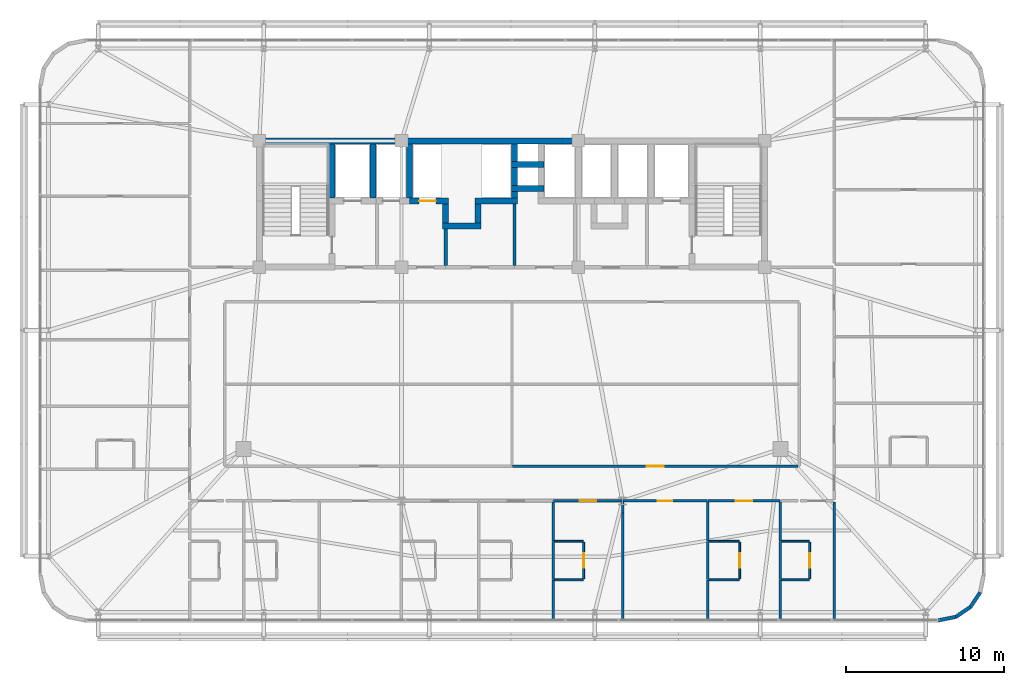
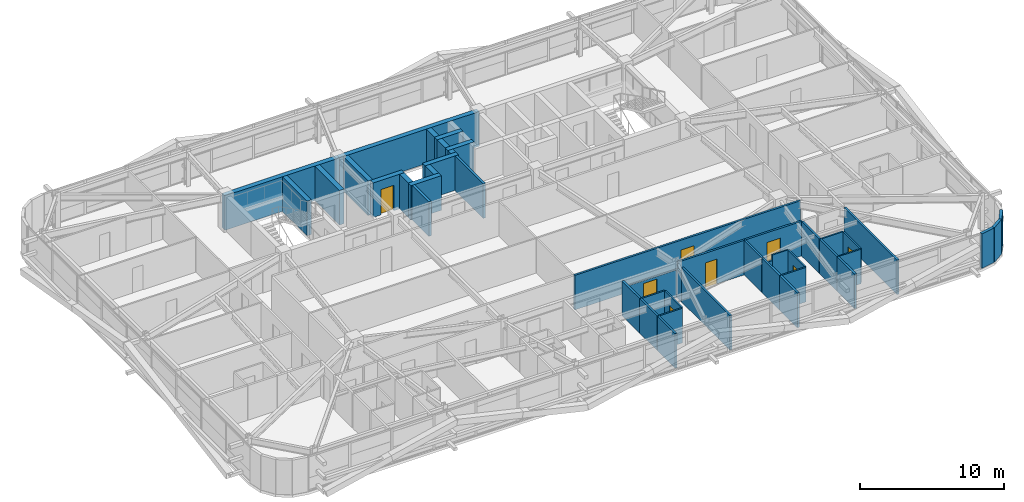
# One storey, part 54 of 59: 46 walls, 8 doors, 8 openings.
"""IFC4 building model written with IfcOpenShell, lengths in metres."""

from ifc_helpers import new_model, si_unit, direction, frame, frame_2d, origin, place, context, subcontext, project, spatial, rectangle, extrude, source, transform, mapped, material, layer, layer_set, type_object, element, fill, save


model = new_model("IFC4")

# Units and contexts
model_context = context("Model", 3, precision=1e-05, world=origin(), true_north=direction((0.0, 1.0)))
body_context = subcontext(model_context, "Body", "Model", "MODEL_VIEW")
ifc_project = project(units=[si_unit("LENGTHUNIT", "METRE"), si_unit("AREAUNIT", "SQUARE_METRE"), si_unit("VOLUMEUNIT", "CUBIC_METRE"), si_unit("PLANEANGLEUNIT", "RADIAN"), si_unit("MASSUNIT", "GRAM", prefix="KILO")], contexts=[model_context])

# Site, building, storey
site_placement = place(None, origin())
site = spatial("IfcSite", under=ifc_project, at=site_placement, CompositionType="ELEMENT")
building_placement = place(site_placement, origin())
building = spatial("IfcBuilding", under=site, at=building_placement, Name="Taldren Reach Tower", CompositionType="ELEMENT")
storey_placement = place(building_placement, frame((0.0, 0.0, 23.10009765625)))
storey = spatial("IfcBuildingStorey", under=building, at=storey_placement, Name="L06", CompositionType="ELEMENT", Elevation=23.10009765625)

# Walls
ifc_material_1 = material(Name="Pale Champagne Anodised Aluminium Cladding", Category="aluminium")
ifc_layer_1 = layer(ifc_material_1, 0.04, Name="Pale Champagne Anodised Aluminium Cladding", Category="aluminium")
ifc_material_2 = material(Name="Mineral Wool Acoustic Insulation", Category="insulation")
ifc_layer_2 = layer(ifc_material_2, 0.06, Name="Mineral Wool Acoustic Insulation", Category="insulation")
ifc_material_3 = material(Name="Steel Gr 350 (C350L0)", Category="steel")
ifc_layer_3 = layer(ifc_material_3, 0.12, Name="Steel Gr 350 (C350L0)", Category="steel")
ifc_layer_set_1 = layer_set([ifc_layer_1, ifc_layer_2, ifc_layer_3], Name="Pale Champagne Aluminium Cladding and Steel Gr 350 Stud Framing")
wall_type_1 = type_object("IfcWallType", Name="EW-CRN-220", PredefinedType="SOLIDWALL", material=ifc_layer_set_1)
shared_shape_1 = source(origin(), body_context, "Body", "SweptSolid", [
    extrude(rectangle(XDim=1.115966796875, YDim=0.219970703125, at=frame_2d((0.55810546875, 0.0))), origin(), (0.0, 0.0, 1.0), 2.929931640625),
])
for number, where, z_axis, x_axis, name in (
    (1, (62.0, 1.639892578125, 0.0), (0.0, 0.0, 1.0), (0.98077373103, 0.195148375659, 0.0), "Rounded-corner pale-metal facade wall L06-SE1"),
    (2, (63.094482421875, 1.857666015625, 0.0), (0.0, 0.0, 1.0), (0.83137650226, 0.555709556774, 0.0), "Rounded-corner pale-metal facade wall L06-SE2"),
    (3, (64.022216796875, 2.477783203125, 0.0), (0.0, 0.0, 1.0), (0.555709556774, 0.83137650226, 0.0), "Rounded-corner pale-metal facade wall L06-SE3"),
):
    element("IfcWall", number, at=place(storey_placement, frame(where, z_axis=z_axis, x_axis=x_axis)), inside=storey, type_object=wall_type_1, Name=name, PredefinedType="SOLIDWALL", context=body_context, shape_type="MappedRepresentation", body=[
        mapped(shared_shape_1, transform((0.0, 0.0, 0.0), scale=1.0)),
    ])
ifc_material_4 = material(Name="Concrete S80 (80 MPa)", Category="concrete")
ifc_layer_4 = layer(ifc_material_4, 0.3798828125)
ifc_layer_set_2 = layer_set([ifc_layer_4], Name="Concrete S80 (80 MPa)")
wall_type_2 = type_object("IfcWallType", Name="IW-CORE-380", PredefinedType="SHEAR", material=ifc_layer_set_2)
shared_shape_2 = source(origin(), body_context, "Body", "SweptSolid", [
    extrude(rectangle(XDim=9.18994140625, YDim=0.3798828125, at=frame_2d((4.594970703125, 0.0))), origin(), (0.0, 0.0, 1.0), 2.929931640625),
])
wall_1_placement = place(storey_placement, frame((18.81005859375, 32.0, 0.0), z_axis=(0.0, 0.0, 1.0), x_axis=(1.0, 0.0, 0.0)))
element("IfcWall", 4, at=wall_1_placement, inside=storey, type_object=wall_type_2, Name="Rear Core Shear Wall W-CORE-L06-NORTH1", PredefinedType="SHEAR", context=body_context, shape_type="MappedRepresentation", body=[
    mapped(shared_shape_2, transform((0.0, 0.0, 0.0), scale=1.0)),
])
shared_shape_3 = source(origin(), body_context, "Body", "SweptSolid", [
    extrude(rectangle(XDim=11.199951171875, YDim=0.3798828125, at=frame_2d((5.60009765625, 0.0))), origin(), (0.0, 0.0, 1.0), 2.929931640625),
])
wall_2_placement = place(storey_placement, frame((28.0, 32.0, 0.0), z_axis=(0.0, 0.0, 1.0), x_axis=(1.0, 0.0, 0.0)))
element("IfcWall", 5, at=wall_2_placement, inside=storey, type_object=wall_type_2, Name="Rear Core Shear Wall W-CORE-L06-NORTH2", PredefinedType="SHEAR", context=body_context, shape_type="MappedRepresentation", body=[
    mapped(shared_shape_3, transform((0.0, 0.0, 0.0), scale=1.0)),
])
shared_shape_4 = source(origin(), body_context, "Body", "SweptSolid", [
    extrude(rectangle(XDim=3.420166015625, YDim=0.3798828125, at=frame_2d((1.7099609375, 0.0))), origin(), (0.0, 0.0, 1.0), 2.929931640625),
])
for number, where, z_axis, x_axis, name in (
    (6, (23.60009765625, 28.389892578125, 0.0), (0.0, 0.0, 1.0), (0.0, 1.0, 0.0), "Rear Core Shear Wall W-INT-L06-001"),
    (7, (26.199951171875, 28.389892578125, 0.0), (0.0, 0.0, 1.0), (0.0, 1.0, 0.0), "Rear Core Shear Wall W-INT-L06-005"),
    (8, (28.5, 28.389892578125, 0.0), (0.0, 0.0, 1.0), (0.0, 1.0, 0.0), "Rear Core Shear Wall W-INT-L06-029"),
):
    element("IfcWall", number, at=place(storey_placement, frame(where, z_axis=z_axis, x_axis=x_axis)), inside=storey, type_object=wall_type_2, Name=name, PredefinedType="SHEAR", context=body_context, shape_type="MappedRepresentation", body=[
        mapped(shared_shape_4, transform((0.0, 0.0, 0.0), scale=1.0)),
    ])
ifc_material_5 = material(Name="Concrete S50 (50 MPa)", Category="concrete")
ifc_layer_5 = layer(ifc_material_5, 0.199951171875)
ifc_layer_set_3 = layer_set([ifc_layer_5], Name="Concrete S50 (50 MPa)")
wall_type_3 = type_object("IfcWallType", Name="IW-CORE-200", PredefinedType="SOLIDWALL", material=ifc_layer_set_3)
shared_shape_5 = source(origin(), body_context, "Body", "SweptSolid", [
    extrude(rectangle(XDim=3.909912109375, YDim=0.199951171875, at=frame_2d((1.955078125, 0.0))), origin(), (0.0, 0.0, 1.0), 2.929931640625),
])
wall_3_placement = place(storey_placement, frame((35.14990234375, 28.010009765625, 0.0), z_axis=(0.0, 0.0, 1.0), x_axis=(0.0, -1.0, 0.0)))
element("IfcWall", 9, at=wall_3_placement, inside=storey, type_object=wall_type_3, Name="Rear Core Shear Wall W-INT-L06-042", PredefinedType="SOLIDWALL", context=body_context, shape_type="MappedRepresentation", body=[
    mapped(shared_shape_5, transform((0.0, 0.0, 0.0), scale=1.0)),
])
shared_shape_6 = source(origin(), body_context, "Body", "SweptSolid", [
    extrude(rectangle(XDim=2.080078125, YDim=0.3798828125, at=frame_2d((1.0400390625, 0.0))), origin(), (0.0, 0.0, 1.0), 2.929931640625),
])
for number, where, z_axis, x_axis, name in (
    (10, (34.9599609375, 30.5, 0.0), (0.0, 0.0, 1.0), (1.0, 0.0, 0.0), "Rear Core Shear Wall W-INT-L06-015"),
    (11, (34.9599609375, 29.0, 0.0), (0.0, 0.0, 1.0), (1.0, 0.0, 0.0), "Rear Core Shear Wall W-INT-L06-020"),
):
    element("IfcWall", number, at=place(storey_placement, frame(where, z_axis=z_axis, x_axis=x_axis)), inside=storey, type_object=wall_type_2, Name=name, PredefinedType="SHEAR", context=body_context, shape_type="MappedRepresentation", body=[
        mapped(shared_shape_6, transform((0.0, 0.0, 0.0), scale=1.0)),
    ])
shared_shape_7 = source(origin(), body_context, "Body", "SweptSolid", [
    extrude(rectangle(XDim=1.1201171875, YDim=0.3798828125, at=frame_2d((0.56005859375, 0.0))), origin(), (0.0, 0.0, 1.0), 2.929931640625),
])
for number, where, z_axis, x_axis, name in (
    (12, (35.14990234375, 31.81005859375, 0.0), (0.0, 0.0, 1.0), (0.0, -1.0, 0.0), "Rear Core Shear Wall W-INT-L06-016"),
    (13, (35.14990234375, 30.31005859375, 0.0), (0.0, 0.0, 1.0), (0.0, -1.0, 0.0), "Rear Core Shear Wall W-INT-L06-018"),
):
    element("IfcWall", number, at=place(storey_placement, frame(where, z_axis=z_axis, x_axis=x_axis)), inside=storey, type_object=wall_type_2, Name=name, PredefinedType="SHEAR", context=body_context, shape_type="MappedRepresentation", body=[
        mapped(shared_shape_7, transform((0.0, 0.0, 0.0), scale=1.0)),
    ])
shared_shape_8 = source(origin(), body_context, "Body", "SweptSolid", [
    extrude(rectangle(XDim=1.219970703125, YDim=0.3798828125, at=frame_2d((0.60986328125, 0.0))), origin(), (0.0, 0.0, 1.0), 2.929931640625),
])
for number, where, z_axis, x_axis, name in (
    (14, (30.800048828125, 28.010009765625, 0.0), (0.0, 0.0, 1.0), (0.0, -1.0, 0.0), "Rear Core Shear Wall W-INT-L06-021"),
    (15, (32.85009765625, 26.7900390625, 0.0), (0.0, 0.0, 1.0), (0.0, 1.0, 0.0), "Rear Core Shear Wall W-INT-L06-023"),
):
    element("IfcWall", number, at=place(storey_placement, frame(where, z_axis=z_axis, x_axis=x_axis)), inside=storey, type_object=wall_type_2, Name=name, PredefinedType="SHEAR", context=body_context, shape_type="MappedRepresentation", body=[
        mapped(shared_shape_8, transform((0.0, 0.0, 0.0), scale=1.0)),
    ])
shared_shape_9 = source(origin(), body_context, "Body", "SweptSolid", [
    extrude(rectangle(XDim=2.429931640625, YDim=0.3798828125, at=frame_2d((1.21484375, 0.0))), origin(), (0.0, 0.0, 1.0), 2.929931640625),
])
wall_4_placement = place(storey_placement, frame((30.610107421875, 26.60009765625, 0.0), z_axis=(0.0, 0.0, 1.0), x_axis=(1.0, 0.0, 0.0)))
element("IfcWall", 16, at=wall_4_placement, inside=storey, type_object=wall_type_2, Name="Rear Core Shear Wall W-INT-L06-022", PredefinedType="SHEAR", context=body_context, shape_type="MappedRepresentation", body=[
    mapped(shared_shape_9, transform((0.0, 0.0, 0.0), scale=1.0)),
])

# Wall, opening, door
shared_shape_10 = source(origin(), body_context, "Body", "SweptSolid", [
    extrude(rectangle(XDim=2.489990234375, YDim=0.3798828125, at=frame_2d((1.2451171875, 0.0))), origin(), (0.0, 0.0, 1.0), 2.929931640625),
])
wall_5_placement = place(storey_placement, frame((28.5, 28.199951171875, 0.0), z_axis=(0.0, 0.0, 1.0), x_axis=(1.0, 0.0, 0.0)))
wall_5 = element("IfcWall", 17, at=wall_5_placement, inside=storey, type_object=wall_type_2, Name="Rear Core Shear Wall W-INT-L06-031", PredefinedType="SHEAR", context=body_context, shape_type="MappedRepresentation", body=[
    mapped(shared_shape_10, transform((0.0, 0.0, 0.0), scale=1.0)),
])
shared_shape_11 = source(origin(), body_context, "Body", "SweptSolid", [
    extrude(rectangle(XDim=1.050048828125, YDim=2.14990234375, at=frame_2d((0.52490234375, 1.074951171875))), frame((0.0, 0.199951171875, 0.0), z_axis=(0.0, -1.0, 0.0), x_axis=(1.0, 0.0, 0.0)), (0.0, 0.0, 1.0), 0.39990234375),
])
opening_1_placement = place(wall_5_placement, frame((0.625, 0.0, 0.0)))
opening_1 = element("IfcOpeningElement", 18, at=opening_1_placement, cuts=wall_5, Name="Opening LD-PL2", PredefinedType="OPENING", context=body_context, shape_type="MappedRepresentation", body=[
    mapped(shared_shape_11, transform((0.0, 0.0, 0.0), scale=1.0)),
])
ifc_material_6 = material(Name="Stainless Steel Gr 316 Passenger Lift Landing Door", Category="steel")
door_type_1 = type_object("IfcDoorType", Name="LD-PAS-105", OperationType="SLIDING_TO_LEFT", PredefinedType="DOOR", material=ifc_material_6)
shared_shape_12 = source(origin(), body_context, "Body", "SweptSolid", [
    extrude(rectangle(XDim=1.050048828125, YDim=2.14990234375, at=frame_2d((0.52490234375, 1.074951171875))), frame((0.0, 0.02490234375, 0.0), z_axis=(0.0, -1.0, 0.0), x_axis=(1.0, 0.0, 0.0)), (0.0, 0.0, 1.0), 0.050048828125),
])
door_1_placement = place(opening_1_placement, origin())
door_1 = element("IfcDoor", 19, at=door_1_placement, inside=storey, type_object=door_type_1, Name="Lift Landing Door LD-PL2-L06", OperationType="SLIDING_TO_LEFT", OverallHeight=2.14990234375, OverallWidth=1.050048828125, PredefinedType="DOOR", context=body_context, shape_type="MappedRepresentation", body=[
    mapped(shared_shape_12, transform((0.0, 0.0, 0.0), scale=1.0)),
])
fill(opening_1, door_1)

# Walls
shared_shape_13 = source(origin(), body_context, "Body", "SweptSolid", [
    extrude(rectangle(XDim=2.309814453125, YDim=0.199951171875, at=frame_2d((1.15478515625, 0.0))), origin(), (0.0, 0.0, 1.0), 2.929931640625),
])
wall_6_placement = place(storey_placement, frame((30.800048828125, 26.409912109375, 0.0), z_axis=(0.0, 0.0, 1.0), x_axis=(0.0, -1.0, 0.0)))
element("IfcWall", 20, at=wall_6_placement, inside=storey, type_object=wall_type_3, Name="Rear Core Shear Wall W-INT-L06-032", PredefinedType="SOLIDWALL", context=body_context, shape_type="MappedRepresentation", body=[
    mapped(shared_shape_13, transform((0.0, 0.0, 0.0), scale=1.0)),
])
shared_shape_14 = source(origin(), body_context, "Body", "SweptSolid", [
    extrude(rectangle(XDim=2.68017578125, YDim=0.3798828125, at=frame_2d((1.340087890625, 0.0))), origin(), (0.0, 0.0, 1.0), 2.929931640625),
])
wall_7_placement = place(storey_placement, frame((32.659912109375, 28.199951171875, 0.0), z_axis=(0.0, 0.0, 1.0), x_axis=(1.0, 0.0, 0.0)))
element("IfcWall", 21, at=wall_7_placement, inside=storey, type_object=wall_type_2, Name="Rear Core Shear Wall W-INT-L06-034", PredefinedType="SHEAR", context=body_context, shape_type="MappedRepresentation", body=[
    mapped(shared_shape_14, transform((0.0, 0.0, 0.0), scale=1.0)),
])
shared_shape_15 = source(origin(), body_context, "Body", "SweptSolid", [
    extrude(rectangle(XDim=0.420166015625, YDim=0.3798828125, at=frame_2d((0.2099609375, 0.0))), origin(), (0.0, 0.0, 1.0), 2.929931640625),
])
wall_8_placement = place(storey_placement, frame((35.14990234375, 28.389892578125, 0.0), z_axis=(0.0, 0.0, 1.0), x_axis=(0.0, 1.0, 0.0)))
element("IfcWall", 22, at=wall_8_placement, inside=storey, type_object=wall_type_2, Name="Rear Core Shear Wall W-INT-L06-035", PredefinedType="SHEAR", context=body_context, shape_type="MappedRepresentation", body=[
    mapped(shared_shape_15, transform((0.0, 0.0, 0.0), scale=1.0)),
])

# Wall, opening, door
ifc_material_7 = material(Name="Fire-Rated Acoustic Plasterboard Stud Wall", Category="gypsum")
ifc_layer_6 = layer(ifc_material_7, 0.159912109375)
ifc_layer_set_4 = layer_set([ifc_layer_6], Name="Fire-Rated Acoustic Plasterboard Stud Wall")
wall_type_4 = type_object("IfcWallType", Name="IW-FIRE-160", PredefinedType="PARTITIONING", material=ifc_layer_set_4)
shared_shape_16 = source(origin(), body_context, "Body", "SweptSolid", [
    extrude(rectangle(XDim=18.099853515625, YDim=0.159912109375, at=frame_2d((9.0498046875, 0.0))), origin(), (0.0, 0.0, 1.0), 2.929931640625),
])
wall_9_placement = place(storey_placement, frame((35.020263671875, 11.39990234375, 0.0), z_axis=(0.0, 0.0, 1.0), x_axis=(1.0, 0.0, 0.0)))
wall_9 = element("IfcWall", 23, at=wall_9_placement, inside=storey, type_object=wall_type_4, Name="Interior Partition Wall W-INT-L06-066", PredefinedType="PARTITIONING", context=body_context, shape_type="MappedRepresentation", body=[
    mapped(shared_shape_16, transform((0.0, 0.0, 0.0), scale=1.0)),
])
shared_shape_17 = source(origin(), body_context, "Body", "SweptSolid", [
    extrude(rectangle(XDim=1.050048828125, YDim=2.10009765625, at=frame_2d((0.52490234375, 1.050048828125))), frame((0.0, 0.08984375, 0.0), z_axis=(0.0, -1.0, 0.0), x_axis=(1.0, 0.0, 0.0)), (0.0, 0.0, 1.0), 0.179931640625),
])
opening_2_placement = place(wall_9_placement, frame((8.52490234375, 0.0, 0.0)))
opening_2 = element("IfcOpeningElement", 24, at=opening_2_placement, cuts=wall_9, Name="Opening DF-105", PredefinedType="OPENING", context=body_context, shape_type="MappedRepresentation", body=[
    mapped(shared_shape_17, transform((0.0, 0.0, 0.0), scale=1.0)),
])
ifc_material_8 = material(Name="Fire-Rated Care and Stair Exit Door")
door_type_2 = type_object("IfcDoorType", Name="ID-FIRE-105", OperationType="NOTDEFINED", PredefinedType="DOOR", material=ifc_material_8)
shared_shape_18 = source(origin(), body_context, "Body", "SweptSolid", [
    extrude(rectangle(XDim=1.050048828125, YDim=2.10009765625, at=frame_2d((0.52490234375, 1.050048828125))), frame((0.0, 0.02490234375, 0.0), z_axis=(0.0, -1.0, 0.0), x_axis=(1.0, 0.0, 0.0)), (0.0, 0.0, 1.0), 0.050048828125),
])
door_2_placement = place(opening_2_placement, origin())
door_2 = element("IfcDoor", 25, at=door_2_placement, inside=storey, type_object=door_type_2, Name="Interior Door DR-L06-023", OperationType="SINGLE_SWING_RIGHT", OverallHeight=2.10009765625, OverallWidth=1.050048828125, PredefinedType="DOOR", context=body_context, shape_type="MappedRepresentation", body=[
    mapped(shared_shape_18, transform((0.0, 0.0, 0.0), scale=1.0)),
])
fill(opening_2, door_2)

shared_shape_19 = source(origin(), body_context, "Body", "SweptSolid", [
    extrude(rectangle(XDim=5.359619140625, YDim=0.159912109375, at=frame_2d((2.6796875, 0.0))), origin(), (0.0, 0.0, 1.0), 2.929931640625),
])
wall_10_placement = place(storey_placement, frame((47.3798828125, 9.199951171875, 0.0), z_axis=(0.0, 0.0, 1.0), x_axis=(-1.0, 0.0, 0.0)))
wall_10 = element("IfcWall", 26, at=wall_10_placement, inside=storey, type_object=wall_type_4, Name="Interior Partition Wall W-INT-L06-073", PredefinedType="PARTITIONING", context=body_context, shape_type="MappedRepresentation", body=[
    mapped(shared_shape_19, transform((0.0, 0.0, 0.0), scale=1.0)),
])
shared_shape_20 = source(origin(), body_context, "Body", "SweptSolid", [
    extrude(rectangle(XDim=0.919921875, YDim=2.10009765625, at=frame_2d((0.4599609375, 1.050048828125))), frame((0.0, 0.08984375, 0.0), z_axis=(0.0, -1.0, 0.0), x_axis=(1.0, 0.0, 0.0)), (0.0, 0.0, 1.0), 0.179931640625),
])
opening_3_placement = place(wall_10_placement, frame((2.2197265625, 0.0, 0.0)))
opening_3 = element("IfcOpeningElement", 27, at=opening_3_placement, cuts=wall_10, Name="Opening DI-092", PredefinedType="OPENING", context=body_context, shape_type="MappedRepresentation", body=[
    mapped(shared_shape_20, transform((0.0, 0.0, 0.0), scale=1.0)),
])
ifc_material_9 = material(Name="Solid-Core Timber Suite Door", Category="wood")
door_type_3 = type_object("IfcDoorType", Name="ID-INT-092", OperationType="NOTDEFINED", PredefinedType="DOOR", material=ifc_material_9)
shared_shape_21 = source(origin(), body_context, "Body", "SweptSolid", [
    extrude(rectangle(XDim=0.919921875, YDim=2.10009765625, at=frame_2d((0.4599609375, 1.050048828125))), frame((0.0, 0.02490234375, 0.0), z_axis=(0.0, -1.0, 0.0), x_axis=(1.0, 0.0, 0.0)), (0.0, 0.0, 1.0), 0.050048828125),
])
door_3_placement = place(opening_3_placement, origin())
door_3 = element("IfcDoor", 28, at=door_3_placement, inside=storey, type_object=door_type_3, Name="Interior Door DR-L06-029", OperationType="SINGLE_SWING_RIGHT", OverallHeight=2.10009765625, OverallWidth=0.919921875, PredefinedType="DOOR", context=body_context, shape_type="MappedRepresentation", body=[
    mapped(shared_shape_21, transform((0.0, 0.0, 0.0), scale=1.0)),
])
fill(opening_3, door_3)

shared_shape_22 = source(origin(), body_context, "Body", "SweptSolid", [
    extrude(rectangle(XDim=4.559326171875, YDim=0.159912109375, at=frame_2d((2.27978515625, 0.0))), origin(), (0.0, 0.0, 1.0), 2.929931640625),
])
wall_11_placement = place(storey_placement, frame((51.979736328125, 9.199951171875, 0.0), z_axis=(0.0, 0.0, 1.0), x_axis=(-1.0, 0.0, 0.0)))
wall_11 = element("IfcWall", 29, at=wall_11_placement, inside=storey, type_object=wall_type_4, Name="Interior Partition Wall W-INT-L06-074", PredefinedType="PARTITIONING", context=body_context, shape_type="MappedRepresentation", body=[
    mapped(shared_shape_22, transform((0.0, 0.0, 0.0), scale=1.0)),
])
opening_4_placement = place(wall_11_placement, frame((1.754638671875, 0.0, 0.0)))
opening_4 = element("IfcOpeningElement", 30, at=opening_4_placement, cuts=wall_11, Name="Opening DF-105", PredefinedType="OPENING", context=body_context, shape_type="MappedRepresentation", body=[
    mapped(shared_shape_17, transform((0.0, 0.0, 0.0), scale=1.0)),
])
door_4_placement = place(opening_4_placement, origin())
door_4 = element("IfcDoor", 31, at=door_4_placement, inside=storey, type_object=door_type_2, Name="Interior Door DR-L06-030", OperationType="SINGLE_SWING_LEFT", OverallHeight=2.10009765625, OverallWidth=1.050048828125, PredefinedType="DOOR", context=body_context, shape_type="MappedRepresentation", body=[
    mapped(shared_shape_18, transform((0.0, 0.0, 0.0), scale=1.0)),
])
fill(opening_4, door_4)

ifc_material_10 = material(Name="Insulated Residential Stud Partition", Category="gypsum")
ifc_layer_7 = layer(ifc_material_10, 0.1201171875)
ifc_layer_set_5 = layer_set([ifc_layer_7], Name="Insulated Residential Stud Partition")
wall_type_5 = type_object("IfcWallType", Name="IW-PART-120", PredefinedType="PARTITIONING", material=ifc_layer_set_5)
shared_shape_23 = source(origin(), body_context, "Body", "SweptSolid", [
    extrude(rectangle(XDim=2.330078125, YDim=0.1201171875, at=frame_2d((1.1650390625, 0.0))), origin(), (0.0, 0.0, 1.0), 2.929931640625),
])
wall_12_placement = place(storey_placement, frame((39.535888671875, 4.260009765625, 0.0), z_axis=(0.0, 0.0, 1.0), x_axis=(0.0, 1.0, 0.0)))
wall_12 = element("IfcWall", 32, at=wall_12_placement, inside=storey, type_object=wall_type_5, Name="Interior Partition Wall W-INT-L06-108", PredefinedType="PARTITIONING", context=body_context, shape_type="MappedRepresentation", body=[
    mapped(shared_shape_23, transform((0.0, 0.0, 0.0), scale=1.0)),
])
shared_shape_24 = source(origin(), body_context, "Body", "SweptSolid", [
    extrude(rectangle(XDim=0.919921875, YDim=2.10009765625, at=frame_2d((0.4599609375, 1.050048828125))), frame((0.0, 0.070068359375, 0.0), z_axis=(0.0, -1.0, 0.0), x_axis=(1.0, 0.0, 0.0)), (0.0, 0.0, 1.0), 0.14013671875),
])
opening_5_placement = place(wall_12_placement, frame((0.705078125, 0.0, 0.0)))
opening_5 = element("IfcOpeningElement", 33, at=opening_5_placement, cuts=wall_12, Name="Opening DI-092", PredefinedType="OPENING", context=body_context, shape_type="MappedRepresentation", body=[
    mapped(shared_shape_24, transform((0.0, 0.0, 0.0), scale=1.0)),
])
door_5_placement = place(opening_5_placement, origin())
door_5 = element("IfcDoor", 34, at=door_5_placement, inside=storey, type_object=door_type_3, Name="Interior Door DR-L06-035", OperationType="SINGLE_SWING_RIGHT", OverallHeight=2.10009765625, OverallWidth=0.919921875, PredefinedType="DOOR", context=body_context, shape_type="MappedRepresentation", body=[
    mapped(shared_shape_21, transform((0.0, 0.0, 0.0), scale=1.0)),
])
fill(opening_5, door_5)

wall_13_placement = place(storey_placement, frame((49.424072265625, 4.260009765625, 0.0), z_axis=(0.0, 0.0, 1.0), x_axis=(0.0, 1.0, 0.0)))
wall_13 = element("IfcWall", 35, at=wall_13_placement, inside=storey, type_object=wall_type_5, Name="Interior Partition Wall W-INT-L06-115", PredefinedType="PARTITIONING", context=body_context, shape_type="MappedRepresentation", body=[
    mapped(shared_shape_23, transform((0.0, 0.0, 0.0), scale=1.0)),
])
opening_6_placement = place(wall_13_placement, frame((0.705078125, 0.0, 0.0)))
opening_6 = element("IfcOpeningElement", 36, at=opening_6_placement, cuts=wall_13, Name="Opening DI-092", PredefinedType="OPENING", context=body_context, shape_type="MappedRepresentation", body=[
    mapped(shared_shape_24, transform((0.0, 0.0, 0.0), scale=1.0)),
])
door_6_placement = place(opening_6_placement, origin())
door_6 = element("IfcDoor", 37, at=door_6_placement, inside=storey, type_object=door_type_3, Name="Interior Door DR-L06-036", OperationType="SINGLE_SWING_LEFT", OverallHeight=2.10009765625, OverallWidth=0.919921875, PredefinedType="DOOR", context=body_context, shape_type="MappedRepresentation", body=[
    mapped(shared_shape_21, transform((0.0, 0.0, 0.0), scale=1.0)),
])
fill(opening_6, door_6)

wall_14_placement = place(storey_placement, frame((53.85009765625, 4.260009765625, 0.0), z_axis=(0.0, 0.0, 1.0), x_axis=(0.0, 1.0, 0.0)))
wall_14 = element("IfcWall", 38, at=wall_14_placement, inside=storey, type_object=wall_type_5, Name="Interior Partition Wall W-INT-L06-121", PredefinedType="PARTITIONING", context=body_context, shape_type="MappedRepresentation", body=[
    mapped(shared_shape_23, transform((0.0, 0.0, 0.0), scale=1.0)),
])
opening_7_placement = place(wall_14_placement, frame((0.705078125, 0.0, 0.0)))
opening_7 = element("IfcOpeningElement", 39, at=opening_7_placement, cuts=wall_14, Name="Opening DI-092", PredefinedType="OPENING", context=body_context, shape_type="MappedRepresentation", body=[
    mapped(shared_shape_24, transform((0.0, 0.0, 0.0), scale=1.0)),
])
door_7_placement = place(opening_7_placement, origin())
door_7 = element("IfcDoor", 40, at=door_7_placement, inside=storey, type_object=door_type_3, Name="Interior Door DR-L06-037", OperationType="SINGLE_SWING_RIGHT", OverallHeight=2.10009765625, OverallWidth=0.919921875, PredefinedType="DOOR", context=body_context, shape_type="MappedRepresentation", body=[
    mapped(shared_shape_21, transform((0.0, 0.0, 0.0), scale=1.0)),
])
fill(opening_7, door_7)

# Walls
shared_shape_25 = source(origin(), body_context, "Body", "SweptSolid", [
    extrude(rectangle(XDim=1.749755859375, YDim=0.1201171875, at=frame_2d((0.875, 0.0))), origin(), (0.0, 0.0, 1.0), 2.929931640625),
])
for number, where, z_axis, x_axis, name in (
    (41, (52.080078125, 4.199951171875, 0.0), (0.0, 0.0, 1.0), (1.0, 0.0, 0.0), "Interior Partition Wall W-INT-L06-122"),
    (42, (53.829833984375, 6.64990234375, 0.0), (0.0, 0.0, 1.0), (-1.0, 0.0, 0.0), "Interior Partition Wall W-INT-L06-123"),
):
    element("IfcWall", number, at=place(storey_placement, frame(where, z_axis=z_axis, x_axis=x_axis)), inside=storey, type_object=wall_type_5, Name=name, PredefinedType="PARTITIONING", context=body_context, shape_type="MappedRepresentation", body=[
        mapped(shared_shape_25, transform((0.0, 0.0, 0.0), scale=1.0)),
    ])
shared_shape_26 = source(origin(), body_context, "Body", "SweptSolid", [
    extrude(rectangle(XDim=2.44775390625, YDim=0.159912109375, at=frame_2d((1.223876953125, 0.0))), origin(), (0.0, 0.0, 1.0), 2.929931640625),
])
for number, where, z_axis, x_axis, name in (
    (43, (37.60009765625, 4.1796875, 0.0), (0.0, 0.0, 1.0), (0.0, -1.0, 0.0), "Interior Partition Wall W-INT-L06-105"),
    (44, (37.60009765625, 9.117919921875, 0.0), (0.0, 0.0, 1.0), (0.0, -1.0, 0.0), "Interior Partition Wall W-INT-L06-106"),
    (45, (52.0, 4.1796875, 0.0), (0.0, 0.0, 1.0), (0.0, -1.0, 0.0), "Interior Partition Wall W-INT-L06-118"),
    (46, (52.0, 9.117919921875, 0.0), (0.0, 0.0, 1.0), (0.0, -1.0, 0.0), "Interior Partition Wall W-INT-L06-119"),
):
    element("IfcWall", number, at=place(storey_placement, frame(where, z_axis=z_axis, x_axis=x_axis)), inside=storey, type_object=wall_type_4, Name=name, PredefinedType="PARTITIONING", context=body_context, shape_type="MappedRepresentation", body=[
        mapped(shared_shape_26, transform((0.0, 0.0, 0.0), scale=1.0)),
    ])
shared_shape_27 = source(origin(), body_context, "Body", "SweptSolid", [
    extrude(rectangle(XDim=2.40966796875, YDim=0.159912109375, at=frame_2d((1.204833984375, 0.0))), origin(), (0.0, 0.0, 1.0), 2.929931640625),
])
for number, where, z_axis, x_axis, name in (
    (47, (37.60009765625, 6.6298828125, 0.0), (0.0, 0.0, 1.0), (0.0, -1.0, 0.0), "Interior Partition Wall W-INT-L06-107"),
    (48, (47.39990234375, 6.6298828125, 0.0), (0.0, 0.0, 1.0), (0.0, -1.0, 0.0), "Interior Partition Wall W-INT-L06-114"),
    (49, (52.0, 6.6298828125, 0.0), (0.0, 0.0, 1.0), (0.0, -1.0, 0.0), "Interior Partition Wall W-INT-L06-120"),
):
    element("IfcWall", number, at=place(storey_placement, frame(where, z_axis=z_axis, x_axis=x_axis)), inside=storey, type_object=wall_type_4, Name=name, PredefinedType="PARTITIONING", context=body_context, shape_type="MappedRepresentation", body=[
        mapped(shared_shape_27, transform((0.0, 0.0, 0.0), scale=1.0)),
    ])
shared_shape_28 = source(origin(), body_context, "Body", "SweptSolid", [
    extrude(rectangle(XDim=7.385986328125, YDim=0.159912109375, at=frame_2d((3.69287109375, 0.0))), origin(), (0.0, 0.0, 1.0), 2.929931640625),
])
wall_15_placement = place(storey_placement, frame((55.39990234375, 9.117919921875, 0.0), z_axis=(0.0, 0.0, 1.0), x_axis=(0.0, -1.0, 0.0)))
element("IfcWall", 50, at=wall_15_placement, inside=storey, type_object=wall_type_4, Name="Interior Partition Wall W-INT-L06-124", PredefinedType="PARTITIONING", context=body_context, shape_type="MappedRepresentation", body=[
    mapped(shared_shape_28, transform((0.0, 0.0, 0.0), scale=1.0)),
])
shared_shape_29 = source(origin(), body_context, "Body", "SweptSolid", [
    extrude(rectangle(XDim=2.44970703125, YDim=0.159912109375, at=frame_2d((1.224853515625, 0.0))), origin(), (0.0, 0.0, 1.0), 2.929931640625),
])
wall_16_placement = place(storey_placement, frame((47.39990234375, 4.1796875, 0.0), z_axis=(0.0, 0.0, 1.0), x_axis=(0.0, -1.0, 0.0)))
element("IfcWall", 51, at=wall_16_placement, inside=storey, type_object=wall_type_4, Name="Interior Partition Wall W-INT-L06-112", PredefinedType="PARTITIONING", context=body_context, shape_type="MappedRepresentation", body=[
    mapped(shared_shape_29, transform((0.0, 0.0, 0.0), scale=1.0)),
])
shared_shape_30 = source(origin(), body_context, "Body", "SweptSolid", [
    extrude(rectangle(XDim=1.8359375, YDim=0.1201171875, at=frame_2d((0.91796875, 0.0))), origin(), (0.0, 0.0, 1.0), 2.929931640625),
])
for number, where, z_axis, x_axis, name in (
    (52, (37.679931640625, 4.199951171875, 0.0), (0.0, 0.0, 1.0), (1.0, 0.0, 0.0), "Interior Partition Wall W-INT-L06-109"),
    (53, (39.515869140625, 6.64990234375, 0.0), (0.0, 0.0, 1.0), (-1.0, 0.0, 0.0), "Interior Partition Wall W-INT-L06-110"),
):
    element("IfcWall", number, at=place(storey_placement, frame(where, z_axis=z_axis, x_axis=x_axis)), inside=storey, type_object=wall_type_5, Name=name, PredefinedType="PARTITIONING", context=body_context, shape_type="MappedRepresentation", body=[
        mapped(shared_shape_30, transform((0.0, 0.0, 0.0), scale=1.0)),
    ])
shared_shape_31 = source(origin(), body_context, "Body", "SweptSolid", [
    extrude(rectangle(XDim=0.669921875, YDim=0.159912109375, at=frame_2d((0.3349609375, 0.0))), origin(), (0.0, 0.0, 1.0), 2.39697265625),
])
wall_17_placement = place(storey_placement, frame((42.0, 9.117919921875, 0.0), z_axis=(0.0, 0.0, 1.0), x_axis=(0.0, -1.0, 0.0)))
element("IfcWall", 54, at=wall_17_placement, inside=storey, type_object=wall_type_4, Name="Interior Partition Wall W-INT-L06-111", PredefinedType="PARTITIONING", context=body_context, shape_type="MappedRepresentation", body=[
    mapped(shared_shape_31, transform((0.0, 0.0, 0.0), scale=1.0)),
])
shared_shape_32 = source(origin(), body_context, "Body", "SweptSolid", [
    extrude(rectangle(XDim=6.716064453125, YDim=0.159912109375, at=frame_2d((3.35791015625, 0.0))), origin(), (0.0, 0.0, 1.0), 2.929931640625),
])
wall_18_placement = place(storey_placement, frame((42.0, 8.447998046875, 0.0), z_axis=(0.0, 0.0, 1.0), x_axis=(0.0, -1.0, 0.0)))
element("IfcWall", 55, at=wall_18_placement, inside=storey, type_object=wall_type_4, Name="Interior Partition Wall W-INT-L06-111 part 2", PredefinedType="PARTITIONING", context=body_context, shape_type="MappedRepresentation", body=[
    mapped(shared_shape_32, transform((0.0, 0.0, 0.0), scale=1.0)),
])
shared_shape_33 = source(origin(), body_context, "Body", "SweptSolid", [
    extrude(rectangle(XDim=2.449951171875, YDim=0.159912109375, at=frame_2d((1.22509765625, 0.0))), origin(), (0.0, 0.0, 1.0), 2.929931640625),
])
wall_19_placement = place(storey_placement, frame((47.39990234375, 9.1201171875, 0.0), z_axis=(0.0, 0.0, 1.0), x_axis=(0.0, -1.0, 0.0)))
element("IfcWall", 56, at=wall_19_placement, inside=storey, type_object=wall_type_4, Name="Interior Partition Wall W-INT-L06-113", PredefinedType="PARTITIONING", context=body_context, shape_type="MappedRepresentation", body=[
    mapped(shared_shape_33, transform((0.0, 0.0, 0.0), scale=1.0)),
])
shared_shape_34 = source(origin(), body_context, "Body", "SweptSolid", [
    extrude(rectangle(XDim=1.923828125, YDim=0.1201171875, at=frame_2d((0.9619140625, 0.0))), origin(), (0.0, 0.0, 1.0), 2.929931640625),
])
wall_20_placement = place(storey_placement, frame((47.47998046875, 4.199951171875, 0.0), z_axis=(0.0, 0.0, 1.0), x_axis=(1.0, 0.0, 0.0)))
element("IfcWall", 57, at=wall_20_placement, inside=storey, type_object=wall_type_5, Name="Interior Partition Wall W-INT-L06-116", PredefinedType="PARTITIONING", context=body_context, shape_type="MappedRepresentation", body=[
    mapped(shared_shape_34, transform((0.0, 0.0, 0.0), scale=1.0)),
])
shared_shape_35 = source(origin(), body_context, "Body", "SweptSolid", [
    extrude(rectangle(XDim=1.26025390625, YDim=0.1201171875, at=frame_2d((0.630126953125, 0.0))), origin(), (0.0, 0.0, 1.0), 2.929931640625),
])
wall_21_placement = place(storey_placement, frame((49.40380859375, 6.64990234375, 0.0), z_axis=(0.0, 0.0, 1.0), x_axis=(-1.0, 0.0, 0.0)))
element("IfcWall", 58, at=wall_21_placement, inside=storey, type_object=wall_type_5, Name="Interior Partition Wall W-INT-L06-117", PredefinedType="PARTITIONING", context=body_context, shape_type="MappedRepresentation", body=[
    mapped(shared_shape_35, transform((0.0, 0.0, 0.0), scale=1.0)),
])
shared_shape_36 = source(origin(), body_context, "Body", "SweptSolid", [
    extrude(rectangle(XDim=0.66357421875, YDim=0.1201171875, at=frame_2d((0.331787109375, 0.0))), origin(), (0.0, 0.0, 1.0), 2.469970703125),
])
wall_22_placement = place(storey_placement, frame((48.1435546875, 6.64990234375, 0.0), z_axis=(0.0, 0.0, 1.0), x_axis=(-1.0, 0.0, 0.0)))
element("IfcWall", 59, at=wall_22_placement, inside=storey, type_object=wall_type_5, Name="Interior Partition Wall W-INT-L06-117 part 2", PredefinedType="PARTITIONING", context=body_context, shape_type="MappedRepresentation", body=[
    mapped(shared_shape_36, transform((0.0, 0.0, 0.0), scale=1.0)),
])

# Wall, opening, door
shared_shape_37 = source(origin(), body_context, "Body", "SweptSolid", [
    extrude(rectangle(XDim=4.359375, YDim=0.159912109375, at=frame_2d((2.1796875, 0.0))), origin(), (0.0, 0.0, 1.0), 2.327880859375),
])
wall_23_placement = place(storey_placement, frame((41.979736328125, 9.199951171875, 0.0), z_axis=(0.0, 0.0, 1.0), x_axis=(-1.0, 0.0, 0.0)))
wall_23 = element("IfcWall", 60, at=wall_23_placement, inside=storey, type_object=wall_type_4, Name="Interior Partition Wall W-INT-L06-072", PredefinedType="PARTITIONING", context=body_context, shape_type="MappedRepresentation", body=[
    mapped(shared_shape_37, transform((0.0, 0.0, 0.0), scale=1.0)),
])
opening_8_placement = place(wall_23_placement, frame((1.65478515625, 0.0, 0.0)))
opening_8 = element("IfcOpeningElement", 61, at=opening_8_placement, cuts=wall_23, Name="Opening DF-105", PredefinedType="OPENING", context=body_context, shape_type="MappedRepresentation", body=[
    mapped(shared_shape_17, transform((0.0, 0.0, 0.0), scale=1.0)),
])
door_8_placement = place(opening_8_placement, origin())
door_8 = element("IfcDoor", 62, at=door_8_placement, inside=storey, type_object=door_type_2, Name="Interior Door DR-L06-028", OperationType="SINGLE_SWING_LEFT", OverallHeight=2.10009765625, OverallWidth=1.050048828125, PredefinedType="DOOR", context=body_context, shape_type="MappedRepresentation", body=[
    mapped(shared_shape_18, transform((0.0, 0.0, 0.0), scale=1.0)),
])
fill(opening_8, door_8)

save(model, "model.ifc")
